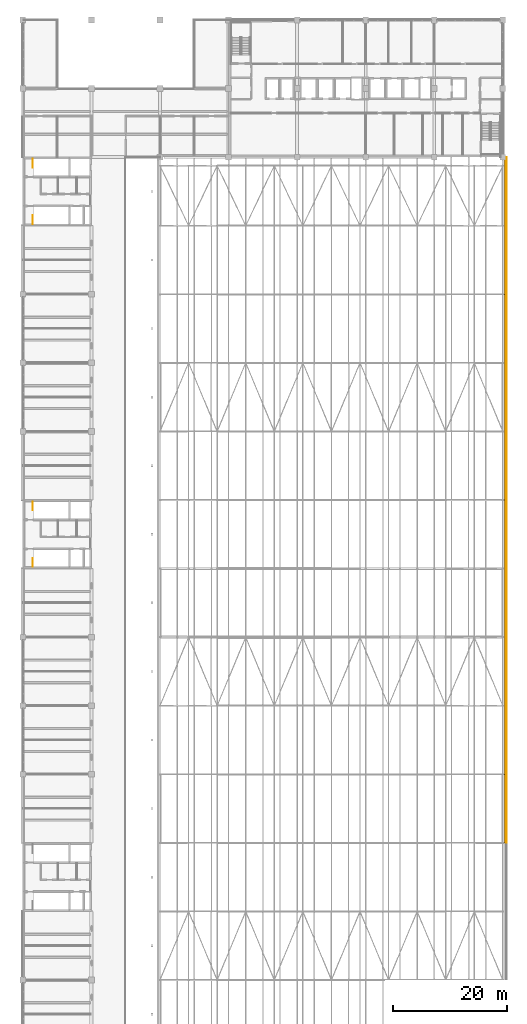
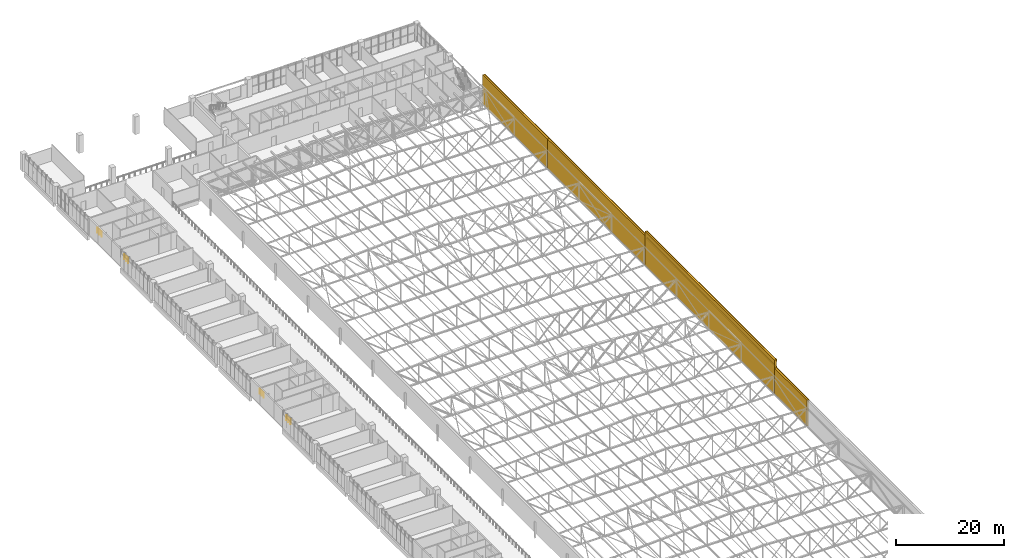
# One storey, part 155 of 156: 9 coverings, 4 railings.
"""IFC4 building model written with IfcOpenShell, lengths in metres."""

from ifc_helpers import new_model, si_unit, direction, frame, frame_2d, origin, origin_2d, place, context, subcontext, project, spatial, rectangle, circle, extrude, material, layer, layer_set, constituent, constituent_set, type_object, element, save


model = new_model("IFC4")

# Units and contexts
model_context = context("Model", 3, precision=1e-05, world=origin(), true_north=direction((0.0, 1.0)))
body_context = subcontext(model_context, "Body", "Model", "MODEL_VIEW")
ifc_project = project(units=[si_unit("LENGTHUNIT", "METRE"), si_unit("AREAUNIT", "SQUARE_METRE"), si_unit("VOLUMEUNIT", "CUBIC_METRE"), si_unit("PLANEANGLEUNIT", "RADIAN"), si_unit("MASSUNIT", "GRAM", prefix="KILO")], contexts=[model_context])

# Site, building, storey
site_placement = place(None, origin())
site = spatial("IfcSite", under=ifc_project, at=site_placement, CompositionType="ELEMENT")
building_placement = place(site_placement, origin())
building = spatial("IfcBuilding", under=site, at=building_placement, Name="Lilac Gate Convention Centre", CompositionType="ELEMENT")
storey_placement = place(building_placement, frame((0.0, 0.0, 17.0)))
storey = spatial("IfcBuildingStorey", under=building, at=storey_placement, Name="L03", CompositionType="ELEMENT", Elevation=17.0)

# Coverings
ifc_material_1 = material(Name="Concrete C40 precast", Category="concrete")
ifc_layer_1 = layer(ifc_material_1, 0.1298828125)
ifc_material_2 = material(Name="Ochre mineral render")
ifc_layer_2 = layer(ifc_material_2, 0.02001953125)
ifc_layer_set_1 = layer_set([ifc_layer_1, ifc_layer_2], Name="Concrete C40 precast, Ochre mineral render")
covering_type_1 = type_object("IfcCoveringType", Name="Cladding band ochre 150", PredefinedType="CLADDING", material=ifc_layer_set_1)
covering_1_placement = place(storey_placement, frame((90.625, 114.0, 5.715576171875), z_axis=(0.0, 0.0, 1.0), x_axis=(0.0, 1.0, 0.0)))
element("IfcCovering", 1, at=covering_1_placement, inside=storey, type_object=covering_type_1, Name="Precast band hall east attic Plenary block 2", PredefinedType="CLADDING", context=body_context, shape_type="SweptSolid", body=[
    extrude(rectangle(XDim=48.0, YDim=0.14990234375, at=frame_2d((24.0, 0.0))), origin(), (0.0, 0.0, 1.0), 0.39990234375),
])
ifc_layer_3 = layer(ifc_material_1, 0.1298828125)
ifc_material_3 = material(Name="Terracotta glazed cladding", Category="masonry")
ifc_layer_4 = layer(ifc_material_3, 0.02001953125)
ifc_layer_set_2 = layer_set([ifc_layer_3, ifc_layer_4], Name="Concrete C40 precast, Terracotta glazed cladding")
covering_type_2 = type_object("IfcCoveringType", Name="Cladding band terracotta 150", PredefinedType="CLADDING", material=ifc_layer_set_2)
covering_2_placement = place(storey_placement, frame((90.625, 102.0, 5.41552734375), z_axis=(0.0, 0.0, 1.0), x_axis=(0.0, 1.0, 0.0)))
element("IfcCovering", 2, at=covering_2_placement, inside=storey, type_object=covering_type_2, Name="Precast band hall east attic Service spine 1", PredefinedType="CLADDING", context=body_context, shape_type="SweptSolid", body=[
    extrude(rectangle(XDim=12.0, YDim=0.14990234375, at=frame_2d((6.0, 0.0))), origin(), (0.0, 0.0, 1.0), 0.39990234375),
])
covering_3_placement = place(storey_placement, frame((90.625, 114.0, 7.215576171875), z_axis=(0.0, 0.0, 1.0), x_axis=(0.0, 1.0, 0.0)))
element("IfcCovering", 3, at=covering_3_placement, inside=storey, type_object=covering_type_2, Name="Precast band hall east attic Plenary block 1", PredefinedType="CLADDING", context=body_context, shape_type="SweptSolid", body=[
    extrude(rectangle(XDim=48.0, YDim=0.14990234375, at=frame_2d((24.0, 0.0))), origin(), (0.0, 0.0, 1.0), 0.39990234375),
])
covering_4_placement = place(storey_placement, frame((90.625, 162.0, 6.215576171875), z_axis=(0.0, 0.0, 1.0), x_axis=(0.0, 1.0, 0.0)))
element("IfcCovering", 4, at=covering_4_placement, inside=storey, type_object=covering_type_2, Name="Precast band hall east attic Ballroom block 1", PredefinedType="CLADDING", context=body_context, shape_type="SweptSolid", body=[
    extrude(rectangle(XDim=36.0, YDim=0.14990234375, at=frame_2d((18.0, 0.0))), origin(), (0.0, 0.0, 1.0), 0.39990234375),
])
covering_5_placement = place(storey_placement, frame((90.625, 198.0, 6.215576171875), z_axis=(0.0, 0.0, 1.0), x_axis=(0.0, 1.0, 0.0)))
element("IfcCovering", 5, at=covering_5_placement, inside=storey, type_object=covering_type_2, Name="Precast band hall east attic Foyer block 1", PredefinedType="CLADDING", context=body_context, shape_type="SweptSolid", body=[
    extrude(rectangle(XDim=24.0, YDim=0.14990234375, at=frame_2d((12.0, 0.0))), origin(), (0.0, 0.0, 1.0), 0.39990234375),
])

# Railings
ifc_material_4 = material(Name="Steel Q235B", Category="steel")
ifc_constituent_1 = constituent(ifc_material_4, Name="Frame")
ifc_material_5 = material(Name="Safety glass, bonded interlayer", Category="glass")
ifc_constituent_2 = constituent(ifc_material_5, Name="Infill")
ifc_constituent_set = constituent_set(constituents=[ifc_constituent_1, ifc_constituent_2], Name="Steel Q235B, Safety glass, bonded interlayer")
railing_type = type_object("IfcRailingType", Name="Guard 1100 steel and glass", PredefinedType="GUARDRAIL", material=ifc_constituent_set)
for number, where, name in (
    (6, (7.75, 150.300048828125, 0.0), "Stairwell guard W3A"),
    (7, (7.75, 160.199951171875, 0.0), "Stairwell guard W3B"),
    (8, (7.75, 210.300048828125, 0.0), "Stairwell guard W4A"),
    (9, (7.75, 220.199951171875, 0.0), "Stairwell guard W4B"),
):
    element("IfcRailing", number, at=place(storey_placement, frame(where)), inside=storey, type_object=railing_type, Name=name, PredefinedType="GUARDRAIL", context=body_context, shape_type="SweptSolid", body=[
        extrude(circle(Radius=0.02392578125, at=origin_2d()), frame((0.0, 0.0, 1.076171875), z_axis=(0.0, 1.0, 0.0), x_axis=(-1.0, 0.0, 0.0)), (0.0, 0.0, 1.0), 1.5),
        extrude(circle(Radius=0.02099609375, at=origin_2d()), origin(), (0.0, 0.0, 1.0), 1.052001953125),
        extrude(circle(Radius=0.02099609375, at=origin_2d()), frame((0.0, 0.75, 0.0)), (0.0, 0.0, 1.0), 1.052001953125),
        extrude(circle(Radius=0.02099609375, at=origin_2d()), frame((0.0, 1.5, 0.0)), (0.0, 0.0, 1.0), 1.052001953125),
    ])

# Coverings
ifc_layer_5 = layer(ifc_material_1, 0.330078125)
ifc_layer_6 = layer(ifc_material_2, 0.02001953125)
ifc_layer_set_3 = layer_set([ifc_layer_5, ifc_layer_6], Name="Concrete C40 precast, Ochre mineral render")
covering_type_3 = type_object("IfcCoveringType", Name="Precast attic panel 350", PredefinedType="CLADDING", material=ifc_layer_set_3)
covering_6_placement = place(storey_placement, frame((90.375, 102.0, 0.0), z_axis=(0.0, 0.0, 1.0), x_axis=(0.0, 1.0, 0.0)))
element("IfcCovering", 10, at=covering_6_placement, inside=storey, type_object=covering_type_3, Name="External wall hall east attic Service spine", PredefinedType="CLADDING", context=body_context, shape_type="SweptSolid", body=[
    extrude(rectangle(XDim=12.0, YDim=0.35009765625, at=frame_2d((6.0, 0.0))), origin(), (0.0, 0.0, 1.0), 5.8154296875),
])
covering_7_placement = place(storey_placement, frame((90.375, 114.0, 0.0), z_axis=(0.0, 0.0, 1.0), x_axis=(0.0, 1.0, 0.0)))
element("IfcCovering", 11, at=covering_7_placement, inside=storey, type_object=covering_type_3, Name="External wall hall east attic Plenary block", PredefinedType="CLADDING", context=body_context, shape_type="SweptSolid", body=[
    extrude(rectangle(XDim=48.0, YDim=0.35009765625, at=frame_2d((24.0, 0.0))), origin(), (0.0, 0.0, 1.0), 7.615478515625),
])
covering_8_placement = place(storey_placement, frame((90.375, 162.0, 0.0), z_axis=(0.0, 0.0, 1.0), x_axis=(0.0, 1.0, 0.0)))
element("IfcCovering", 12, at=covering_8_placement, inside=storey, type_object=covering_type_3, Name="External wall hall east attic Ballroom block", PredefinedType="CLADDING", context=body_context, shape_type="SweptSolid", body=[
    extrude(rectangle(XDim=36.0, YDim=0.35009765625, at=frame_2d((18.0, 0.0))), origin(), (0.0, 0.0, 1.0), 6.615478515625),
])
covering_9_placement = place(storey_placement, frame((90.375, 198.0, 0.0), z_axis=(0.0, 0.0, 1.0), x_axis=(0.0, 1.0, 0.0)))
element("IfcCovering", 13, at=covering_9_placement, inside=storey, type_object=covering_type_3, Name="External wall hall east attic Foyer block", PredefinedType="CLADDING", context=body_context, shape_type="SweptSolid", body=[
    extrude(rectangle(XDim=24.0, YDim=0.35009765625, at=frame_2d((12.0, 0.0))), origin(), (0.0, 0.0, 1.0), 6.615478515625),
])

save(model, "model.ifc")
